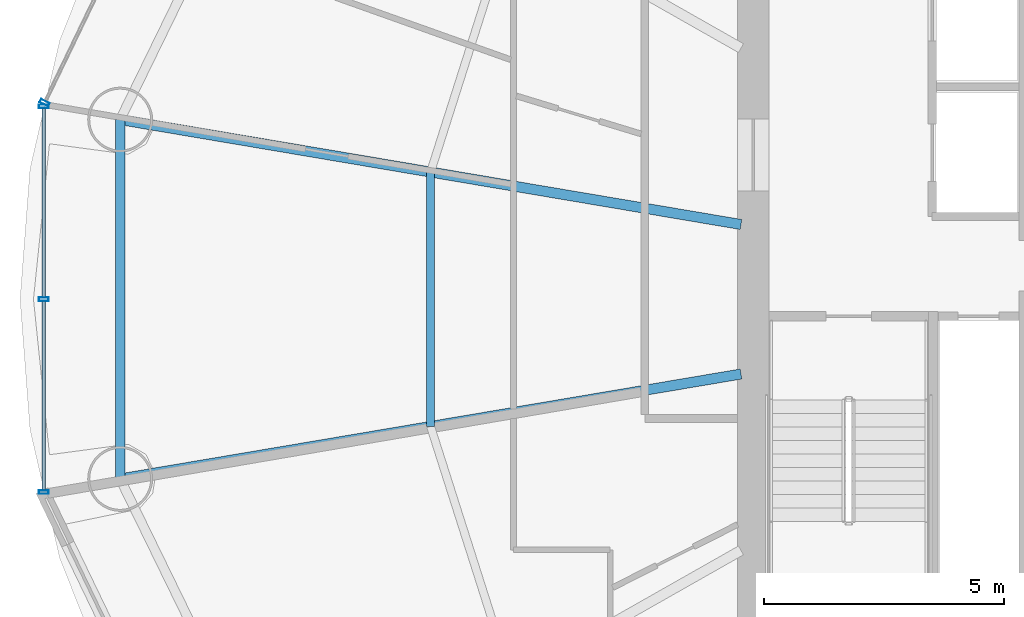
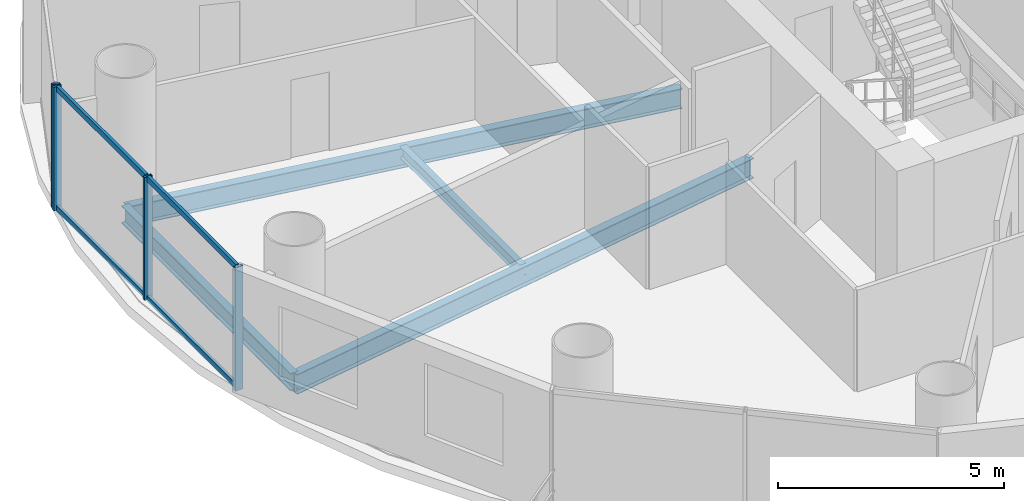
# One storey, part 7 of 26: 8 members, 4 beams, 2 elements without a shape of their own.
"""IFC4 building model written with IfcOpenShell, lengths in metres."""

from ifc_helpers import new_model, si_unit, direction, frame, origin, origin_2d, place, context, subcontext, project, spatial, hollow_rectangle, i_section, extrude, source, transform, mapped, material, material_profile, profile_set, type_object, element, aggregate, save


model = new_model("IFC4")

# Units and contexts
model_context = context("Model", 3, precision=1e-05, world=origin(), true_north=direction((-0.2419218956, 0.970295726276)))
body_context = subcontext(model_context, "Body", "Model", "MODEL_VIEW")
ifc_project = project(units=[si_unit("LENGTHUNIT", "METRE"), si_unit("AREAUNIT", "SQUARE_METRE"), si_unit("VOLUMEUNIT", "CUBIC_METRE"), si_unit("PLANEANGLEUNIT", "RADIAN"), si_unit("MASSUNIT", "GRAM", prefix="KILO")], contexts=[model_context])

# Site, building, storey
site_placement = place(None, origin())
site = spatial("IfcSite", under=ifc_project, at=site_placement, CompositionType="ELEMENT")
building_placement = place(site_placement, origin())
building = spatial("IfcBuilding", under=site, at=building_placement, Name="Cobrevalo Terracotta Tower", CompositionType="ELEMENT")
storey_placement = place(building_placement, frame((0.0, 0.0, 139.0)))
storey = spatial("IfcBuildingStorey", under=building, at=storey_placement, Name="L36", CompositionType="ELEMENT", Elevation=139.0)

# Beams
ifc_material_1 = material(Name="Steel S355", Category="steel")
ifc_material_profile_1 = material_profile(ifc_material_1, i_section(OverallWidth=0.2109375, OverallDepth=0.5390625, WebThickness=0.01171875, FlangeThickness=0.018798828125, at=origin_2d()), Name="W 530x109")
ifc_profile_set_1 = profile_set([ifc_material_profile_1], Name="Steel S355")
beam_type_1 = type_object("IfcBeamType", Name="Structural Beam W 530x109 (Steel S355)", PredefinedType="BEAM", material=ifc_profile_set_1)
for number, where, z_axis, x_axis, name in (
    (1, (15.88330078125, 30.535888671875, -0.53955078125), (0.986032794282, -0.166551279191, 0.0), (0.166551279191, 0.986032794282, 0.0), "L36 radial floor girder 08"),
    (2, (15.88330078125, 23.06396484375, -0.53955078125), (0.986029732232, 0.166569406417, 0.0), (-0.166569406417, 0.986029732232, 0.0), "L36 radial floor girder 09"),
):
    element("IfcBeam", number, at=place(storey_placement, frame(where, z_axis=z_axis, x_axis=x_axis)), inside=storey, type_object=beam_type_1, Name=name, PredefinedType="BEAM", context=body_context, shape_type="SweptSolid", body=[
        extrude(i_section(OverallWidth=0.2109375, OverallDepth=0.5390625, WebThickness=0.01171875, FlangeThickness=0.018798828125, at=origin_2d()), origin(), (0.0, 0.0, 1.0), 13.094482421875),
    ])
ifc_material_profile_2 = material_profile(ifc_material_1, i_section(OverallWidth=0.1650390625, OverallDepth=0.31005859375, WebThickness=0.005859375, FlangeThickness=0.009765625, at=origin_2d()), Name="W 310x38.7")
ifc_profile_set_2 = profile_set([ifc_material_profile_2], Name="Steel S355")
beam_type_2 = type_object("IfcBeamType", Name="Structural Joist W 310x38.7 (Steel S355)", PredefinedType="JOIST", material=ifc_profile_set_2)
beam_1_placement = place(storey_placement, frame((22.339111328125, 29.445556640625, -0.425048828125), z_axis=(0.0, -1.0, 0.0), x_axis=(1.0, 0.0, 0.0)))
element("IfcBeam", 3, at=beam_1_placement, inside=storey, type_object=beam_type_2, Name="L36 circumferential secondary floor joist 08", PredefinedType="JOIST", context=body_context, shape_type="SweptSolid", body=[
    extrude(i_section(OverallWidth=0.1650390625, OverallDepth=0.31005859375, WebThickness=0.005859375, FlangeThickness=0.009765625, at=origin_2d()), origin(), (0.0, 0.0, 1.0), 5.291015625),
])
ifc_material_profile_3 = material_profile(ifc_material_1, i_section(OverallWidth=0.194091796875, OverallDepth=0.468994140625, WebThickness=0.011474609375, FlangeThickness=0.0205078125, at=origin_2d()), Name="W 460x106")
ifc_profile_set_3 = profile_set([ifc_material_profile_3], Name="Steel S355")
beam_type_3 = type_object("IfcBeamType", Name="Structural Spandrel W 460x106 (Steel S355)", PredefinedType="SPANDREL", material=ifc_profile_set_3)
beam_2_placement = place(storey_placement, frame((15.88330078125, 30.535888671875, -0.50439453125), z_axis=(0.0, -1.0, 0.0), x_axis=(1.0, 0.0, 0.0)))
element("IfcBeam", 4, at=beam_2_placement, inside=storey, type_object=beam_type_3, Name="L36 perimeter ring spandrel 08", PredefinedType="SPANDREL", context=body_context, shape_type="SweptSolid", body=[
    extrude(i_section(OverallWidth=0.194091796875, OverallDepth=0.468994140625, WebThickness=0.011474609375, FlangeThickness=0.0205078125, at=origin_2d()), origin(), (0.0, 0.0, 1.0), 7.471923828125),
])

# Curtain wall, member
ifc_material_2 = material(Name="Anodized aluminium", Category="aluminium")
curtain_wall_type = type_object("IfcCurtainWallType", Name="Mid-tower high-wind unitised curtain wall CW-U2", PredefinedType="NOTDEFINED", material=ifc_material_2)
curtain_wall_1_placement = place(storey_placement, origin())
curtain_wall_1 = element("IfcCurtainWall", 5, at=curtain_wall_1_placement, inside=storey, type_object=curtain_wall_type, Name="L36 curtain wall CW-L36-S07", PredefinedType="NOTDEFINED")
ifc_material_profile_4 = material_profile(ifc_material_2, hollow_rectangle(XDim=0.074951171875, YDim=0.199951171875, WallThickness=0.0048828125, at=origin_2d()), Name="CWM 75x200")
ifc_profile_set_4 = profile_set([ifc_material_profile_4], Name="Anodized aluminium")
member_type_1 = type_object("IfcMemberType", Name="Lower/mid tower unitised mullion 75x200", PredefinedType="MULLION", material=ifc_profile_set_4)
shared_shape_1 = source(origin(), body_context, "Body", "SweptSolid", [
    extrude(hollow_rectangle(XDim=0.074951171875, YDim=0.199951171875, WallThickness=0.0048828125, at=origin_2d()), origin(), (0.0, 0.0, 1.0), 3.330078125),
])
member_1_placement = place(storey_placement, frame((14.311767578125, 30.887939453125, 0.0), z_axis=(0.0, 0.0, 1.0), x_axis=(-0.434209440271, -0.900811945957, 0.0)))
member_1 = element("IfcMember", 6, at=member_1_placement, type_object=member_type_1, Name="CW-L36-S07 vertical mullion 03", PredefinedType="MULLION", context=body_context, shape_type="MappedRepresentation", body=[
    mapped(shared_shape_1, transform((0.0, 0.0, 0.0), scale=1.0)),
])
aggregate(curtain_wall_1, [member_1])

# Curtain wall, members
curtain_wall_2_placement = place(storey_placement, origin())
curtain_wall_2 = element("IfcCurtainWall", 7, at=curtain_wall_2_placement, inside=storey, type_object=curtain_wall_type, Name="L36 curtain wall CW-L36-S08", PredefinedType="NOTDEFINED")
member_2_placement = place(storey_placement, frame((14.29443359375, 30.81201171875, 0.0), z_axis=(0.0, 0.0, 1.0), x_axis=(0.0, -1.0, 0.0)))
member_2 = element("IfcMember", 8, at=member_2_placement, type_object=member_type_1, Name="CW-L36-S08 vertical mullion 01", PredefinedType="MULLION", context=body_context, shape_type="MappedRepresentation", body=[
    mapped(shared_shape_1, transform((0.0, 0.0, 0.0), scale=1.0)),
])
member_3_placement = place(storey_placement, frame((14.29443359375, 26.800048828125, 0.0), z_axis=(0.0, 0.0, 1.0), x_axis=(0.0, -1.0, 0.0)))
member_3 = element("IfcMember", 9, at=member_3_placement, type_object=member_type_1, Name="CW-L36-S08 vertical mullion 02", PredefinedType="MULLION", context=body_context, shape_type="MappedRepresentation", body=[
    mapped(shared_shape_1, transform((0.0, 0.0, 0.0), scale=1.0)),
])
member_4_placement = place(storey_placement, frame((14.29443359375, 22.7880859375, 0.0), z_axis=(0.0, 0.0, 1.0), x_axis=(0.0, -1.0, 0.0)))
member_4 = element("IfcMember", 10, at=member_4_placement, type_object=member_type_1, Name="CW-L36-S08 vertical mullion 03", PredefinedType="MULLION", context=body_context, shape_type="MappedRepresentation", body=[
    mapped(shared_shape_1, transform((0.0, 0.0, 0.0), scale=1.0)),
])
ifc_material_profile_5 = material_profile(ifc_material_2, hollow_rectangle(XDim=0.074951171875, YDim=0.14990234375, WallThickness=0.00439453125, at=origin_2d()), Name="CWT 75x150")
ifc_profile_set_5 = profile_set([ifc_material_profile_5], Name="Anodized aluminium")
member_type_2 = type_object("IfcMemberType", Name="Tower unitised aluminium transom 75x150", PredefinedType="USERDEFINED", material=ifc_profile_set_5)
shared_shape_2 = source(origin(), body_context, "Body", "SweptSolid", [
    extrude(hollow_rectangle(XDim=0.074951171875, YDim=0.14990234375, WallThickness=0.00439453125, at=origin_2d()), origin(), (0.0, 0.0, 1.0), 3.931884765625),
])
member_5_placement = place(storey_placement, frame((14.29443359375, 30.77197265625, 0.050048828125), z_axis=(0.0, -1.0, 0.0), x_axis=(1.0, 0.0, 0.0)))
member_5 = element("IfcMember", 11, at=member_5_placement, type_object=member_type_2, Name="CW-L36-S08 transom B01-T1", ObjectType="TRANSOM", PredefinedType="USERDEFINED", context=body_context, shape_type="MappedRepresentation", body=[
    mapped(shared_shape_2, transform((0.0, 0.0, 0.0), scale=1.0)),
])
member_6_placement = place(storey_placement, frame((14.29443359375, 30.77197265625, 3.280029296875), z_axis=(0.0, -1.0, 0.0), x_axis=(1.0, 0.0, 0.0)))
member_6 = element("IfcMember", 12, at=member_6_placement, type_object=member_type_2, Name="CW-L36-S08 transom B01-T2", ObjectType="TRANSOM", PredefinedType="USERDEFINED", context=body_context, shape_type="MappedRepresentation", body=[
    mapped(shared_shape_2, transform((0.0, 0.0, 0.0), scale=1.0)),
])
shared_shape_3 = source(origin(), body_context, "Body", "SweptSolid", [
    extrude(hollow_rectangle(XDim=0.074951171875, YDim=0.14990234375, WallThickness=0.00439453125, at=origin_2d()), origin(), (0.0, 0.0, 1.0), 3.93212890625),
])
member_7_placement = place(storey_placement, frame((14.29443359375, 26.760009765625, 0.050048828125), z_axis=(0.0, -1.0, 0.0), x_axis=(1.0, 0.0, 0.0)))
member_7 = element("IfcMember", 13, at=member_7_placement, type_object=member_type_2, Name="CW-L36-S08 transom B02-T1", ObjectType="TRANSOM", PredefinedType="USERDEFINED", context=body_context, shape_type="MappedRepresentation", body=[
    mapped(shared_shape_3, transform((0.0, 0.0, 0.0), scale=1.0)),
])
member_8_placement = place(storey_placement, frame((14.29443359375, 26.760009765625, 3.280029296875), z_axis=(0.0, -1.0, 0.0), x_axis=(1.0, 0.0, 0.0)))
member_8 = element("IfcMember", 14, at=member_8_placement, type_object=member_type_2, Name="CW-L36-S08 transom B02-T2", ObjectType="TRANSOM", PredefinedType="USERDEFINED", context=body_context, shape_type="MappedRepresentation", body=[
    mapped(shared_shape_3, transform((0.0, 0.0, 0.0), scale=1.0)),
])
aggregate(curtain_wall_2, [member_2, member_3, member_4, member_5, member_6, member_7, member_8])

save(model, "model.ifc")
